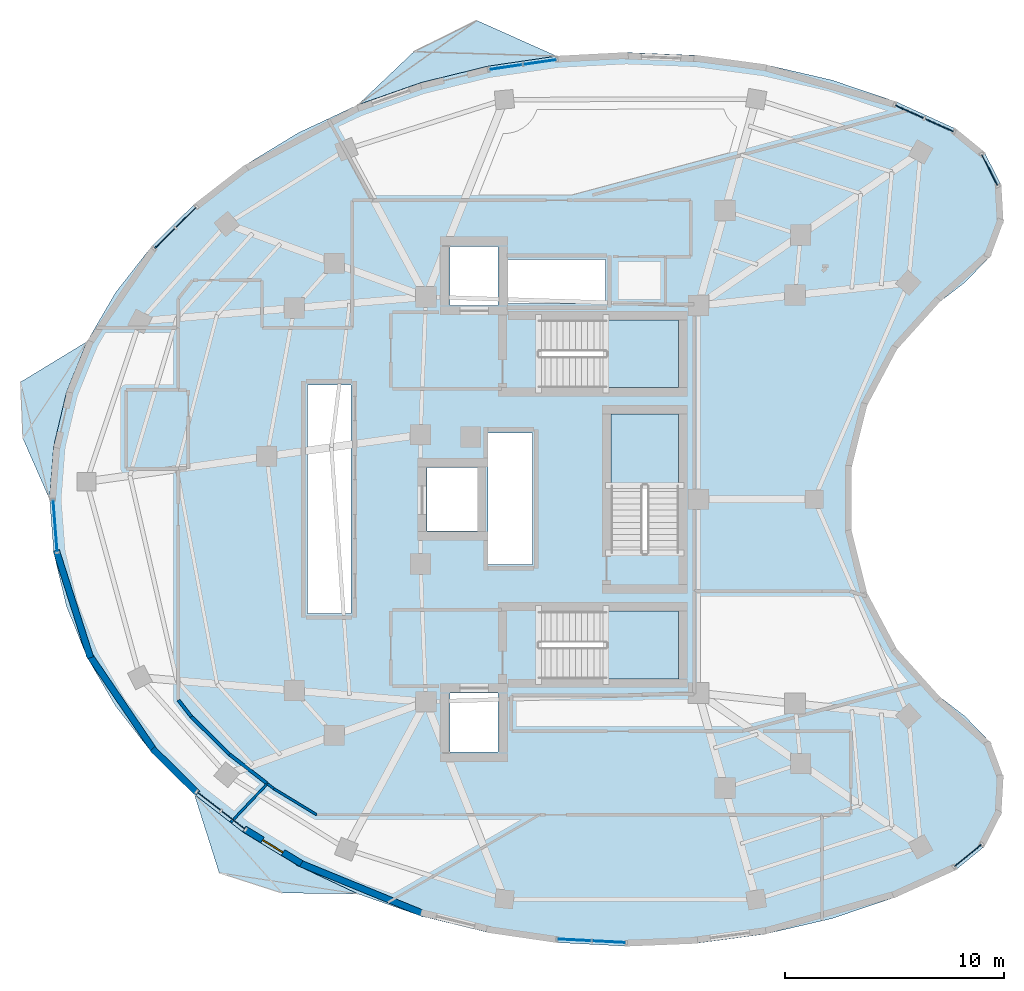
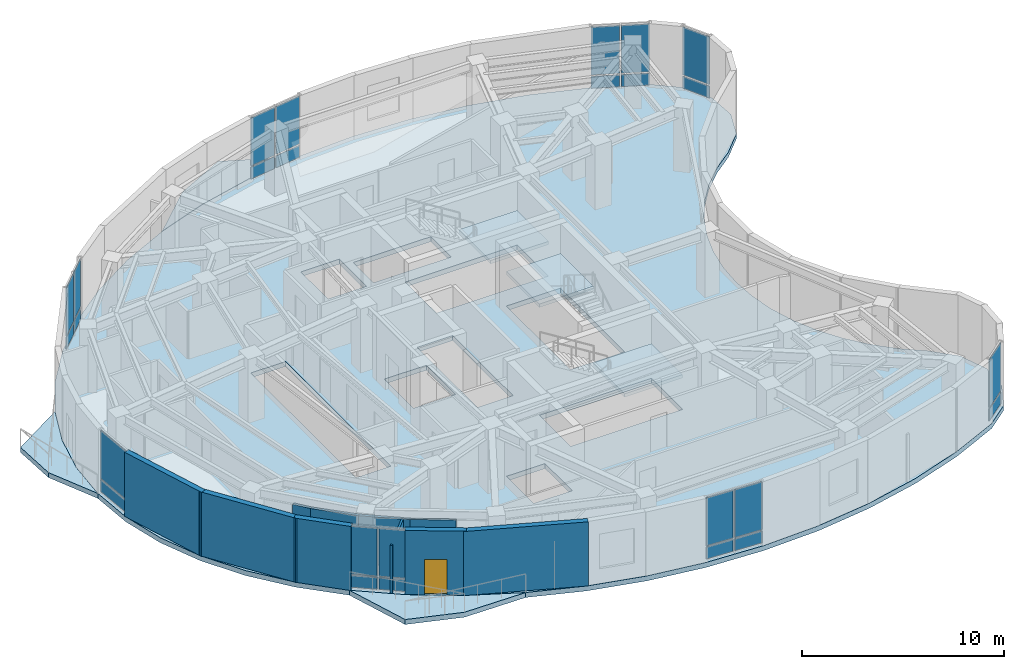
# One storey, part 6 of 13: 26 plates, 11 walls, 7 slabs, 1 door, 1 opening, 11 elements without a shape of their own.
"""IFC4 building model written with IfcOpenShell, lengths in metres."""

from ifc_helpers import new_model, si_unit, direction, frame, frame_2d, origin, origin_2d, place, context, subcontext, project, spatial, polyline, rectangle, outline, extrude, material, layer, layer_set, type_object, element, fill, aggregate, save


model = new_model("IFC4")

# Units and contexts
model_context = context("Model", 3, precision=1e-05, world=origin(), true_north=direction((0.0, 1.0)))
body_context = subcontext(model_context, "Body", "Model", "MODEL_VIEW")
ifc_project = project(units=[si_unit("LENGTHUNIT", "METRE"), si_unit("AREAUNIT", "SQUARE_METRE"), si_unit("VOLUMEUNIT", "CUBIC_METRE"), si_unit("PLANEANGLEUNIT", "RADIAN"), si_unit("MASSUNIT", "GRAM", prefix="KILO")], contexts=[model_context])

# Site, building, storey
site_placement = place(None, origin())
site = spatial("IfcSite", under=ifc_project, at=site_placement, CompositionType="ELEMENT")
building_placement = place(site_placement, origin())
building = spatial("IfcBuilding", under=site, at=building_placement, Name="Korentha Bioscience Tower", CompositionType="ELEMENT")
storey_placement = place(building_placement, frame((0.0, 0.0, 273.0)))
storey = spatial("IfcBuildingStorey", under=building, at=storey_placement, Name="L63", CompositionType="ELEMENT", Elevation=273.0)

# Curtain wall, plates
ifc_material_1 = material(Name="Thermally Broken Aluminium Frame", Category="aluminium")
ifc_layer_1 = layer(ifc_material_1, 0.219970703125, Name="Thermally Broken Aluminium Frame")
ifc_layer_set_1 = layer_set([ifc_layer_1], Name="Thermally Broken Aluminium Frame (CW-T1)")
curtain_wall_type = type_object("IfcCurtainWallType", Name="Standard Bioscience Lab Unitised Curtain Wall CW-T1", PredefinedType="USERDEFINED", material=ifc_layer_set_1)
curtain_wall_1_placement = place(storey_placement, origin())
curtain_wall_1 = element("IfcCurtainWall", 1, at=curtain_wall_1_placement, inside=storey, type_object=curtain_wall_type, Name="L63 Curtain Wall 01", ObjectType="UNITISED", PredefinedType="USERDEFINED")
ifc_material_2 = material(Name="Triple-Glazed Low-E Insulated Glass", Category="glass")
ifc_layer_2 = layer(ifc_material_2, 0.0439453125, Name="Triple-Glazed Low-E Insulated Glass")
ifc_layer_set_2 = layer_set([ifc_layer_2], Name="Triple-Glazed Low-E Insulated Glass (GL-44)")
plate_type = type_object("IfcPlateType", Name="Glazed Panel 44mm", PredefinedType="CURTAIN_PANEL", material=ifc_layer_set_2)
plate_1_placement = place(storey_placement, frame((48.554931640625, 44.091064453125, 0.08984375), z_axis=(0.0, 0.0, 1.0), x_axis=(-0.910604060449, 0.413279862918, 0.0)))
plate_1 = element("IfcPlate", 2, at=plate_1_placement, type_object=plate_type, Name="CW-L63-01 Bay 1 Glazed Panel 1", PredefinedType="CURTAIN_PANEL", context=body_context, shape_type="SweptSolid", body=[
    extrude(rectangle(XDim=1.41357421875, YDim=0.0439453125, at=origin_2d()), origin(), (0.0, 0.0, 1.0), 0.715087890625),
])
plate_2_placement = place(storey_placement, frame((48.554931640625, 44.091064453125, 0.89501953125), z_axis=(0.0, 0.0, 1.0), x_axis=(-0.910604060449, 0.413279862918, 0.0)))
plate_2 = element("IfcPlate", 3, at=plate_2_placement, type_object=plate_type, Name="CW-L63-01 Bay 1 Glazed Panel 2", PredefinedType="CURTAIN_PANEL", context=body_context, shape_type="SweptSolid", body=[
    extrude(rectangle(XDim=1.41357421875, YDim=0.0439453125, at=origin_2d()), origin(), (0.0, 0.0, 1.0), 2.89501953125),
])
plate_3_placement = place(storey_placement, frame((47.185791015625, 44.71240234375, 0.08984375), z_axis=(0.0, 0.0, 1.0), x_axis=(-0.910604060449, 0.413279862918, 0.0)))
plate_3 = element("IfcPlate", 4, at=plate_3_placement, type_object=plate_type, Name="CW-L63-01 Bay 2 Glazed Panel 1", PredefinedType="CURTAIN_PANEL", context=body_context, shape_type="SweptSolid", body=[
    extrude(rectangle(XDim=1.41357421875, YDim=0.0439453125, at=origin_2d()), origin(), (0.0, 0.0, 1.0), 0.715087890625),
])
plate_4_placement = place(storey_placement, frame((47.185791015625, 44.71240234375, 0.89501953125), z_axis=(0.0, 0.0, 1.0), x_axis=(-0.910604060449, 0.413279862918, 0.0)))
plate_4 = element("IfcPlate", 5, at=plate_4_placement, type_object=plate_type, Name="CW-L63-01 Bay 2 Glazed Panel 2", PredefinedType="CURTAIN_PANEL", context=body_context, shape_type="SweptSolid", body=[
    extrude(rectangle(XDim=1.41357421875, YDim=0.0439453125, at=origin_2d()), origin(), (0.0, 0.0, 1.0), 2.89501953125),
])
aggregate(curtain_wall_1, [plate_1, plate_2, plate_3, plate_4])

curtain_wall_2_placement = place(storey_placement, origin())
curtain_wall_2 = element("IfcCurtainWall", 6, at=curtain_wall_2_placement, inside=storey, type_object=curtain_wall_type, Name="L63 Curtain Wall 07", ObjectType="UNITISED", PredefinedType="USERDEFINED")
plate_5_placement = place(storey_placement, frame((30.309814453125, 46.9736328125, 0.08984375), z_axis=(0.0, 0.0, 1.0), x_axis=(-0.989459665324, -0.144808738328, 0.0)))
plate_5 = element("IfcPlate", 7, at=plate_5_placement, type_object=plate_type, Name="CW-L63-07 Bay 1 Glazed Panel 1", PredefinedType="CURTAIN_PANEL", context=body_context, shape_type="SweptSolid", body=[
    extrude(rectangle(XDim=1.489013671875, YDim=0.0439453125, at=origin_2d()), origin(), (0.0, 0.0, 1.0), 0.715087890625),
])
plate_6_placement = place(storey_placement, frame((30.309814453125, 46.9736328125, 0.89501953125), z_axis=(0.0, 0.0, 1.0), x_axis=(-0.989459665324, -0.144808738328, 0.0)))
plate_6 = element("IfcPlate", 8, at=plate_6_placement, type_object=plate_type, Name="CW-L63-07 Bay 1 Glazed Panel 2", PredefinedType="CURTAIN_PANEL", context=body_context, shape_type="SweptSolid", body=[
    extrude(rectangle(XDim=1.489013671875, YDim=0.0439453125, at=origin_2d()), origin(), (0.0, 0.0, 1.0), 2.89501953125),
])
plate_7_placement = place(storey_placement, frame((28.74755859375, 46.7451171875, 0.08984375), z_axis=(0.0, 0.0, 1.0), x_axis=(-0.989459665324, -0.144808738328, 0.0)))
plate_7 = element("IfcPlate", 9, at=plate_7_placement, type_object=plate_type, Name="CW-L63-07 Bay 2 Glazed Panel 1", PredefinedType="CURTAIN_PANEL", context=body_context, shape_type="SweptSolid", body=[
    extrude(rectangle(XDim=1.489013671875, YDim=0.0439453125, at=origin_2d()), origin(), (0.0, 0.0, 1.0), 0.715087890625),
])
plate_8_placement = place(storey_placement, frame((28.74755859375, 46.7451171875, 0.89501953125), z_axis=(0.0, 0.0, 1.0), x_axis=(-0.989459665324, -0.144808738328, 0.0)))
plate_8 = element("IfcPlate", 10, at=plate_8_placement, type_object=plate_type, Name="CW-L63-07 Bay 2 Glazed Panel 2", PredefinedType="CURTAIN_PANEL", context=body_context, shape_type="SweptSolid", body=[
    extrude(rectangle(XDim=1.489013671875, YDim=0.0439453125, at=origin_2d()), origin(), (0.0, 0.0, 1.0), 2.89501953125),
])
aggregate(curtain_wall_2, [plate_5, plate_6, plate_7, plate_8])

curtain_wall_3_placement = place(storey_placement, origin())
curtain_wall_3 = element("IfcCurtainWall", 11, at=curtain_wall_3_placement, inside=storey, type_object=curtain_wall_type, Name="L63 Curtain Wall 13", ObjectType="UNITISED", PredefinedType="USERDEFINED")
plate_9_placement = place(storey_placement, frame((14.144775390625, 39.8828125, 0.08984375), z_axis=(0.0, 0.0, 1.0), x_axis=(-0.711397700041, -0.702789664392, 0.0)))
plate_9 = element("IfcPlate", 12, at=plate_9_placement, type_object=plate_type, Name="CW-L63-13 Bay 1 Glazed Panel 1", PredefinedType="CURTAIN_PANEL", context=body_context, shape_type="SweptSolid", body=[
    extrude(rectangle(XDim=1.2822265625, YDim=0.0439453125, at=origin_2d()), origin(), (0.0, 0.0, 1.0), 0.715087890625),
])
plate_10_placement = place(storey_placement, frame((14.144775390625, 39.8828125, 0.89501953125), z_axis=(0.0, 0.0, 1.0), x_axis=(-0.711397700041, -0.702789664392, 0.0)))
plate_10 = element("IfcPlate", 13, at=plate_10_placement, type_object=plate_type, Name="CW-L63-13 Bay 1 Glazed Panel 2", PredefinedType="CURTAIN_PANEL", context=body_context, shape_type="SweptSolid", body=[
    extrude(rectangle(XDim=1.2822265625, YDim=0.0439453125, at=origin_2d()), origin(), (0.0, 0.0, 1.0), 2.89501953125),
])
plate_11_placement = place(storey_placement, frame((13.16845703125, 38.918212890625, 0.08984375), z_axis=(0.0, 0.0, 1.0), x_axis=(-0.711397700041, -0.702789664392, 0.0)))
plate_11 = element("IfcPlate", 14, at=plate_11_placement, type_object=plate_type, Name="CW-L63-13 Bay 2 Glazed Panel 1", PredefinedType="CURTAIN_PANEL", context=body_context, shape_type="SweptSolid", body=[
    extrude(rectangle(XDim=1.2822265625, YDim=0.0439453125, at=origin_2d()), origin(), (0.0, 0.0, 1.0), 0.715087890625),
])
plate_12_placement = place(storey_placement, frame((13.16845703125, 38.918212890625, 0.89501953125), z_axis=(0.0, 0.0, 1.0), x_axis=(-0.711397700041, -0.702789664392, 0.0)))
plate_12 = element("IfcPlate", 15, at=plate_12_placement, type_object=plate_type, Name="CW-L63-13 Bay 2 Glazed Panel 2", PredefinedType="CURTAIN_PANEL", context=body_context, shape_type="SweptSolid", body=[
    extrude(rectangle(XDim=1.2822265625, YDim=0.0439453125, at=origin_2d()), origin(), (0.0, 0.0, 1.0), 2.89501953125),
])
aggregate(curtain_wall_3, [plate_9, plate_10, plate_11, plate_12])

curtain_wall_4_placement = place(storey_placement, origin())
curtain_wall_4 = element("IfcCurtainWall", 16, at=curtain_wall_4_placement, inside=storey, type_object=curtain_wall_type, Name="L63 Curtain Wall 19", ObjectType="UNITISED", PredefinedType="USERDEFINED")
plate_13_placement = place(storey_placement, frame((8.164306640625, 25.7880859375, 0.08984375), z_axis=(0.0, 0.0, 1.0), x_axis=(0.078035250492, -0.996950600421, 0.0)))
plate_13 = element("IfcPlate", 17, at=plate_13_placement, type_object=plate_type, Name="CW-L63-19 Bay 1 Glazed Panel 1", PredefinedType="CURTAIN_PANEL", context=body_context, shape_type="SweptSolid", body=[
    extrude(rectangle(XDim=2.35595703125, YDim=0.0439453125, at=origin_2d()), origin(), (0.0, 0.0, 1.0), 0.715087890625),
])
plate_14_placement = place(storey_placement, frame((8.164306640625, 25.7880859375, 0.89501953125), z_axis=(0.0, 0.0, 1.0), x_axis=(0.078035250492, -0.996950600421, 0.0)))
plate_14 = element("IfcPlate", 18, at=plate_14_placement, type_object=plate_type, Name="CW-L63-19 Bay 1 Glazed Panel 2", PredefinedType="CURTAIN_PANEL", context=body_context, shape_type="SweptSolid", body=[
    extrude(rectangle(XDim=2.35595703125, YDim=0.0439453125, at=origin_2d()), origin(), (0.0, 0.0, 1.0), 2.89501953125),
])
aggregate(curtain_wall_4, [plate_13, plate_14])

curtain_wall_5_placement = place(storey_placement, origin())
curtain_wall_5 = element("IfcCurtainWall", 19, at=curtain_wall_5_placement, inside=storey, type_object=curtain_wall_type, Name="L63 Curtain Wall 25", ObjectType="UNITISED", PredefinedType="USERDEFINED")
plate_15_placement = place(storey_placement, frame((15.185791015625, 13.20751953125, 0.08984375), z_axis=(0.0, 0.0, 1.0), x_axis=(0.790487520139, -0.612478146961, 0.0)))
plate_15 = element("IfcPlate", 20, at=plate_15_placement, type_object=plate_type, Name="CW-L63-25 Bay 1 Glazed Panel 1", PredefinedType="CURTAIN_PANEL", context=body_context, shape_type="SweptSolid", body=[
    extrude(rectangle(XDim=1.326416015625, YDim=0.0439453125, at=origin_2d()), origin(), (0.0, 0.0, 1.0), 0.715087890625),
])
plate_16_placement = place(storey_placement, frame((15.185791015625, 13.20751953125, 0.89501953125), z_axis=(0.0, 0.0, 1.0), x_axis=(0.790487520139, -0.612478146961, 0.0)))
plate_16 = element("IfcPlate", 21, at=plate_16_placement, type_object=plate_type, Name="CW-L63-25 Bay 1 Glazed Panel 2", PredefinedType="CURTAIN_PANEL", context=body_context, shape_type="SweptSolid", body=[
    extrude(rectangle(XDim=1.326416015625, YDim=0.0439453125, at=origin_2d()), origin(), (0.0, 0.0, 1.0), 2.89501953125),
])
plate_17_placement = place(storey_placement, frame((16.305419921875, 12.33984375, 0.08984375), z_axis=(0.0, 0.0, 1.0), x_axis=(0.790487520139, -0.612478146961, 0.0)))
plate_17 = element("IfcPlate", 22, at=plate_17_placement, type_object=plate_type, Name="CW-L63-25 Bay 2 Glazed Panel 1", PredefinedType="CURTAIN_PANEL", context=body_context, shape_type="SweptSolid", body=[
    extrude(rectangle(XDim=1.326416015625, YDim=0.0439453125, at=origin_2d()), origin(), (0.0, 0.0, 1.0), 0.715087890625),
])
plate_18_placement = place(storey_placement, frame((16.305419921875, 12.33984375, 0.89501953125), z_axis=(0.0, 0.0, 1.0), x_axis=(0.790487520139, -0.612478146961, 0.0)))
plate_18 = element("IfcPlate", 23, at=plate_18_placement, type_object=plate_type, Name="CW-L63-25 Bay 2 Glazed Panel 2", PredefinedType="CURTAIN_PANEL", context=body_context, shape_type="SweptSolid", body=[
    extrude(rectangle(XDim=1.326416015625, YDim=0.0439453125, at=origin_2d()), origin(), (0.0, 0.0, 1.0), 2.89501953125),
])
aggregate(curtain_wall_5, [plate_15, plate_16, plate_17, plate_18])

curtain_wall_6_placement = place(storey_placement, origin())
curtain_wall_6 = element("IfcCurtainWall", 24, at=curtain_wall_6_placement, inside=storey, type_object=curtain_wall_type, Name="L63 Curtain Wall 31", ObjectType="UNITISED", PredefinedType="USERDEFINED")
plate_19_placement = place(storey_placement, frame((31.87939453125, 6.87109375, 0.08984375), z_axis=(0.0, 0.0, 1.0), x_axis=(0.998636113937, -0.052210266622, 0.0)))
plate_19 = element("IfcPlate", 25, at=plate_19_placement, type_object=plate_type, Name="CW-L63-31 Bay 1 Glazed Panel 1", PredefinedType="CURTAIN_PANEL", context=body_context, shape_type="SweptSolid", body=[
    extrude(rectangle(XDim=1.498779296875, YDim=0.0439453125, at=origin_2d()), origin(), (0.0, 0.0, 1.0), 0.715087890625),
])
plate_20_placement = place(storey_placement, frame((31.87939453125, 6.87109375, 0.89501953125), z_axis=(0.0, 0.0, 1.0), x_axis=(0.998636113937, -0.052210266622, 0.0)))
plate_20 = element("IfcPlate", 26, at=plate_20_placement, type_object=plate_type, Name="CW-L63-31 Bay 1 Glazed Panel 2", PredefinedType="CURTAIN_PANEL", context=body_context, shape_type="SweptSolid", body=[
    extrude(rectangle(XDim=1.498779296875, YDim=0.0439453125, at=origin_2d()), origin(), (0.0, 0.0, 1.0), 2.89501953125),
])
plate_21_placement = place(storey_placement, frame((33.466064453125, 6.7880859375, 0.08984375), z_axis=(0.0, 0.0, 1.0), x_axis=(0.998636113937, -0.052210266622, 0.0)))
plate_21 = element("IfcPlate", 27, at=plate_21_placement, type_object=plate_type, Name="CW-L63-31 Bay 2 Glazed Panel 1", PredefinedType="CURTAIN_PANEL", context=body_context, shape_type="SweptSolid", body=[
    extrude(rectangle(XDim=1.498779296875, YDim=0.0439453125, at=origin_2d()), origin(), (0.0, 0.0, 1.0), 0.715087890625),
])
plate_22_placement = place(storey_placement, frame((33.466064453125, 6.7880859375, 0.89501953125), z_axis=(0.0, 0.0, 1.0), x_axis=(0.998636113937, -0.052210266622, 0.0)))
plate_22 = element("IfcPlate", 28, at=plate_22_placement, type_object=plate_type, Name="CW-L63-31 Bay 2 Glazed Panel 2", PredefinedType="CURTAIN_PANEL", context=body_context, shape_type="SweptSolid", body=[
    extrude(rectangle(XDim=1.498779296875, YDim=0.0439453125, at=origin_2d()), origin(), (0.0, 0.0, 1.0), 2.89501953125),
])
aggregate(curtain_wall_6, [plate_19, plate_20, plate_21, plate_22])

curtain_wall_7_placement = place(storey_placement, origin())
curtain_wall_7 = element("IfcCurtainWall", 29, at=curtain_wall_7_placement, inside=storey, type_object=curtain_wall_type, Name="L63 Curtain Wall 37", ObjectType="UNITISED", PredefinedType="USERDEFINED")
plate_23_placement = place(storey_placement, frame((49.85986328125, 10.732177734375, 0.08984375), z_axis=(0.0, 0.0, 1.0), x_axis=(0.774235415138, 0.632897718393, 0.0)))
plate_23 = element("IfcPlate", 30, at=plate_23_placement, type_object=plate_type, Name="CW-L63-37 Bay 1 Glazed Panel 1", PredefinedType="CURTAIN_PANEL", context=body_context, shape_type="SweptSolid", body=[
    extrude(rectangle(XDim=1.581787109375, YDim=0.0439453125, at=origin_2d()), origin(), (0.0, 0.0, 1.0), 0.715087890625),
])
plate_24_placement = place(storey_placement, frame((49.85986328125, 10.732177734375, 0.89501953125), z_axis=(0.0, 0.0, 1.0), x_axis=(0.774235415138, 0.632897718393, 0.0)))
plate_24 = element("IfcPlate", 31, at=plate_24_placement, type_object=plate_type, Name="CW-L63-37 Bay 1 Glazed Panel 2", PredefinedType="CURTAIN_PANEL", context=body_context, shape_type="SweptSolid", body=[
    extrude(rectangle(XDim=1.581787109375, YDim=0.0439453125, at=origin_2d()), origin(), (0.0, 0.0, 1.0), 2.89501953125),
])
aggregate(curtain_wall_7, [plate_23, plate_24])

curtain_wall_8_placement = place(storey_placement, origin())
curtain_wall_8 = element("IfcCurtainWall", 32, at=curtain_wall_8_placement, inside=storey, type_object=curtain_wall_type, Name="L63 Curtain Wall 61", ObjectType="UNITISED", PredefinedType="USERDEFINED")
plate_25_placement = place(storey_placement, frame((50.8515625, 42.037841796875, 0.08984375), z_axis=(0.0, 0.0, 1.0), x_axis=(-0.454238686477, 0.890880023184, 0.0)))
plate_25 = element("IfcPlate", 33, at=plate_25_placement, type_object=plate_type, Name="CW-L63-61 Bay 1 Glazed Panel 1", PredefinedType="CURTAIN_PANEL", context=body_context, shape_type="SweptSolid", body=[
    extrude(rectangle(XDim=1.58154296875, YDim=0.0439453125, at=origin_2d()), origin(), (0.0, 0.0, 1.0), 0.715087890625),
])
plate_26_placement = place(storey_placement, frame((50.8515625, 42.037841796875, 0.89501953125), z_axis=(0.0, 0.0, 1.0), x_axis=(-0.454238686477, 0.890880023184, 0.0)))
plate_26 = element("IfcPlate", 34, at=plate_26_placement, type_object=plate_type, Name="CW-L63-61 Bay 1 Glazed Panel 2", PredefinedType="CURTAIN_PANEL", context=body_context, shape_type="SweptSolid", body=[
    extrude(rectangle(XDim=1.58154296875, YDim=0.0439453125, at=origin_2d()), origin(), (0.0, 0.0, 1.0), 2.89501953125),
])
aggregate(curtain_wall_8, [plate_25, plate_26])

# Slab
ifc_material_3 = material(Name="Concrete C50", Category="concrete")
ifc_layer_3 = layer(ifc_material_3, 0.300048828125, Name="Concrete C50")
ifc_layer_set_3 = layer_set([ifc_layer_3], Name="Concrete C50 (SL-L300)")
slab_type_1 = type_object("IfcSlabType", Name="Laboratory Vibration-Controlled Slab 300", PredefinedType="FLOOR", material=ifc_layer_set_3)
slab_1_placement = place(storey_placement, frame((0.0, 0.0, -0.300048828125)))
element("IfcSlab", 35, at=slab_1_placement, inside=storey, type_object=slab_type_1, Name="L63 Tower Structural Floor Slab", PredefinedType="FLOOR", context=body_context, shape_type="SweptSolid", body=[
    extrude(outline(polyline([(49.310302734375, 43.924072265625), (46.562744140625, 45.1708984375), (43.640380859375, 46.15576171875), (40.58544921875, 46.86376953125), (37.4423828125, 47.284912109375), (34.256103515625, 47.413330078125), (31.07275390625, 47.2470703125), (27.9384765625, 46.788330078125), (24.898193359375, 46.0439453125), (21.99609375, 45.0244140625), (19.27392578125, 43.744873046875), (16.771240234375, 42.223388671875), (14.52392578125, 40.482177734375), (12.564453125, 38.54638671875), (10.921142578125, 36.443603515625), (9.61767578125, 34.20458984375), (8.673095703125, 31.86181640625), (8.1005859375, 29.448486328125), (7.908935546875, 27.0), (8.1005859375, 24.551513671875), (8.673095703125, 22.13818359375), (9.61767578125, 19.79541015625), (10.921142578125, 17.556396484375), (12.564453125, 15.45361328125), (14.52392578125, 13.517822265625), (16.771240234375, 11.776611328125), (19.27392578125, 10.255126953125), (21.99609375, 8.9755859375), (24.898193359375, 7.9560546875), (27.9384765625, 7.211669921875), (31.07275390625, 6.7529296875), (34.256103515625, 6.586669921875), (37.4423828125, 6.715087890625), (40.58544921875, 7.13623046875), (43.640380859375, 7.84423828125), (46.562744140625, 8.8291015625), (49.310302734375, 10.075927734375), (50.6123046875, 11.140380859375), (51.3759765625, 12.638671875), (51.47265625, 14.3173828125), (50.8857421875, 15.893310546875), (49.714599609375, 17.10009765625), (48.55810546875, 17.98779296875), (47.51806640625, 19.009765625), (46.6103515625, 20.15087890625), (45.8486328125, 21.393798828125), (45.243896484375, 22.720703125), (44.8056640625, 24.111083984375), (44.539794921875, 25.544677734375), (44.450927734375, 27.0), (44.539794921875, 28.455322265625), (44.8056640625, 29.888916015625), (45.243896484375, 31.279296875), (45.8486328125, 32.606201171875), (46.6103515625, 33.84912109375), (47.51806640625, 34.990234375), (48.55810546875, 36.01220703125), (49.714599609375, 36.89990234375), (50.8857421875, 38.106689453125), (51.47265625, 39.6826171875), (51.3759765625, 41.361328125), (50.6123046875, 42.859619140625), (49.310302734375, 43.924072265625)]), holes=[polyline([(30.25, 32.10009765625), (36.64990234375, 32.10009765625), (36.64990234375, 35.199951171875), (30.25, 35.199951171875), (30.25, 32.10009765625)]), polyline([(30.25, 18.800048828125), (36.64990234375, 18.800048828125), (36.64990234375, 21.89990234375), (30.25, 21.89990234375), (30.25, 18.800048828125)]), polyline([(36.64990234375, 24.550048828125), (36.64990234375, 30.89990234375), (33.550048828125, 30.89990234375), (33.550048828125, 24.550048828125), (36.64990234375, 24.550048828125)]), polyline([(19.679931640625, 21.780029296875), (21.669921875, 21.780029296875), (21.669921875, 32.219970703125), (19.679931640625, 32.219970703125), (19.679931640625, 21.780029296875)]), polyline([(27.929931640625, 24.030029296875), (29.969970703125, 24.030029296875), (29.969970703125, 30.02001953125), (27.929931640625, 30.02001953125), (27.929931640625, 24.030029296875)]), polyline([(28.860107421875, 35.93994140625), (33.31005859375, 35.93994140625), (33.31005859375, 37.9599609375), (28.860107421875, 37.9599609375), (28.860107421875, 35.93994140625)]), polyline([(26.199951171875, 15.449951171875), (28.39990234375, 15.449951171875), (28.39990234375, 18.14990234375), (26.199951171875, 18.14990234375), (26.199951171875, 15.449951171875)]), polyline([(26.199951171875, 35.85009765625), (28.39990234375, 35.85009765625), (28.39990234375, 38.550048828125), (26.199951171875, 38.550048828125), (26.199951171875, 35.85009765625)]), polyline([(25.14990234375, 25.550048828125), (27.550048828125, 25.550048828125), (27.550048828125, 28.449951171875), (25.14990234375, 28.449951171875), (25.14990234375, 25.550048828125)])]), origin(), (0.0, 0.0, 1.0), 0.300048828125),
])

# Stair, slab
ifc_material_4 = material(Name="Precast Concrete C50", Category="concrete")
stair_type = type_object("IfcStairType", Name="Core Exit Dog-Leg Stair 1450", PredefinedType="HALF_TURN_STAIR", material=ifc_material_4)
stair_1_placement = place(storey_placement, origin())
stair_1 = element("IfcStair", 36, at=stair_1_placement, inside=storey, type_object=stair_type, Name="L63 Tower North Pressurized Exit Stair ST-1", PredefinedType="HALF_TURN_STAIR")
ifc_layer_4 = layer(ifc_material_3, 0.199951171875, Name="Concrete C50")
ifc_layer_set_4 = layer_set([ifc_layer_4], Name="Concrete C50 (SL-LND)")
slab_type_2 = type_object("IfcSlabType", Name="Landing Slab 200", PredefinedType="LANDING", material=ifc_layer_set_4)
slab_2_placement = place(storey_placement, frame((0.0, 0.0, 1.89990234375)))
slab_2 = element("IfcSlab", 37, at=slab_2_placement, type_object=slab_type_2, Name="ST-1 landing 1", PredefinedType="LANDING", context=body_context, shape_type="SweptSolid", body=[
    extrude(outline(polyline([(33.330078125, 32.10009765625), (36.64990234375, 32.10009765625), (36.64990234375, 35.199951171875), (33.330078125, 35.199951171875), (33.330078125, 32.10009765625)])), origin(), (0.0, 0.0, 1.0), 0.2001953125),
])
aggregate(stair_1, [slab_2])

stair_2_placement = place(storey_placement, origin())
stair_2 = element("IfcStair", 38, at=stair_2_placement, inside=storey, type_object=stair_type, Name="L63 Tower South Pressurized Exit Stair ST-2", PredefinedType="HALF_TURN_STAIR")
slab_3_placement = place(storey_placement, frame((0.0, 0.0, 1.89990234375)))
slab_3 = element("IfcSlab", 39, at=slab_3_placement, type_object=slab_type_2, Name="ST-2 landing 1", PredefinedType="LANDING", context=body_context, shape_type="SweptSolid", body=[
    extrude(outline(polyline([(33.330078125, 18.800048828125), (36.64990234375, 18.800048828125), (36.64990234375, 21.89990234375), (33.330078125, 21.89990234375), (33.330078125, 18.800048828125)])), origin(), (0.0, 0.0, 1.0), 0.2001953125),
])
aggregate(stair_2, [slab_3])

stair_3_placement = place(storey_placement, origin())
stair_3 = element("IfcStair", 40, at=stair_3_placement, inside=storey, type_object=stair_type, Name="L63 Tower Central Pressurized Exit Stair ST-3", PredefinedType="HALF_TURN_STAIR")
slab_4_placement = place(storey_placement, frame((0.0, 0.0, 1.89990234375)))
slab_4 = element("IfcSlab", 41, at=slab_4_placement, type_object=slab_type_2, Name="ST-3 landing 1", PredefinedType="LANDING", context=body_context, shape_type="SweptSolid", body=[
    extrude(outline(polyline([(36.64990234375, 27.6298828125), (36.64990234375, 30.89990234375), (33.550048828125, 30.89990234375), (33.550048828125, 27.6298828125), (36.64990234375, 27.6298828125)])), origin(), (0.0, 0.0, 1.0), 0.2001953125),
])
aggregate(stair_3, [slab_4])

# Slabs
ifc_layer_5 = layer(ifc_material_3, 0.300048828125, Name="Concrete C50")
ifc_layer_set_5 = layer_set([ifc_layer_5], Name="Concrete C50 (BS-240)")
slab_type_3 = type_object("IfcSlabType", Name="Sawtooth Sun-Ledge Balcony Slab 240", PredefinedType="USERDEFINED", material=ifc_layer_set_5)
slab_5_placement = place(storey_placement, frame((0.0, 0.0, -0.300048828125)))
element("IfcSlab", 42, at=slab_5_placement, inside=storey, type_object=slab_type_3, Name="L63 Sun-Ledge Balcony 01", ObjectType="BALCONY", PredefinedType="USERDEFINED", context=body_context, shape_type="SweptSolid", body=[
    extrude(outline(polyline([(21.99609375, 45.0244140625), (24.898193359375, 46.0439453125), (27.9384765625, 46.788330078125), (31.07275390625, 47.2470703125), (27.427001953125, 48.876708984375), (24.55322265625, 47.452392578125), (21.99609375, 45.0244140625)])), origin(), (0.0, 0.0, 1.0), 0.300048828125),
])
slab_6_placement = place(storey_placement, frame((0.0, 0.0, -0.300048828125)))
element("IfcSlab", 43, at=slab_6_placement, inside=storey, type_object=slab_type_3, Name="L63 Sun-Ledge Balcony 02", ObjectType="BALCONY", PredefinedType="USERDEFINED", context=body_context, shape_type="SweptSolid", body=[
    extrude(outline(polyline([(7.908935546875, 27.0), (8.1005859375, 29.448486328125), (8.673095703125, 31.86181640625), (9.61767578125, 34.20458984375), (6.5810546875, 32.35791015625), (6.689697265625, 29.783203125), (7.908935546875, 27.0)])), origin(), (0.0, 0.0, 1.0), 0.300048828125),
])
slab_7_placement = place(storey_placement, frame((0.0, 0.0, -0.300048828125)))
element("IfcSlab", 44, at=slab_7_placement, inside=storey, type_object=slab_type_3, Name="L63 Sun-Ledge Balcony 03", ObjectType="BALCONY", PredefinedType="USERDEFINED", context=body_context, shape_type="SweptSolid", body=[
    extrude(outline(polyline([(21.99609375, 8.9755859375), (19.27392578125, 10.255126953125), (16.771240234375, 11.776611328125), (14.52392578125, 13.517822265625), (15.654296875, 9.939453125), (18.520751953125, 9.01611328125), (21.99609375, 8.9755859375)])), origin(), (0.0, 0.0, 1.0), 0.300048828125),
])

# Walls
ifc_material_5 = material(Name="Double-Stud Acoustic Gypsum", Category="gypsum")
ifc_layer_6 = layer(ifc_material_5, 0.14990234375, Name="Double-Stud Acoustic Gypsum")
ifc_layer_set_6 = layer_set([ifc_layer_6], Name="Double-Stud Acoustic Gypsum (IW-L150)")
wall_type_1 = type_object("IfcWallType", Name="Acoustic Laboratory Partition Wall 150", PredefinedType="PARTITIONING", material=ifc_layer_set_6)
wall_1_placement = place(storey_placement, frame((13.7919921875, 17.8291015625, 0.0), z_axis=(0.0, 0.0, 1.0), x_axis=(0.615841557122, -0.787870025145, 0.0)))
element("IfcWall", 45, at=wall_1_placement, inside=storey, type_object=wall_type_1, Name="L63 Interior Partition 045", PredefinedType="PARTITIONING", context=body_context, shape_type="SweptSolid", body=[
    extrude(rectangle(XDim=0.95947265625, YDim=0.14990234375, at=frame_2d((0.479736328125, 0.0))), origin(), (0.0, 0.0, 1.0), 2.889892578125),
])
wall_2_placement = place(storey_placement, frame((14.383544921875, 17.072509765625, 0.0), z_axis=(0.0, 0.0, 1.0), x_axis=(0.711327015195, -0.702861207817, 0.0)))
element("IfcWall", 46, at=wall_2_placement, inside=storey, type_object=wall_type_1, Name="L63 Interior Partition 046", PredefinedType="PARTITIONING", context=body_context, shape_type="SweptSolid", body=[
    extrude(rectangle(XDim=2.451171875, YDim=0.14990234375, at=frame_2d((1.2255859375, 0.0))), origin(), (0.0, 0.0, 1.0), 2.889892578125),
])
wall_3_placement = place(storey_placement, frame((16.128173828125, 15.348876953125, 0.0), z_axis=(0.0, 0.0, 1.0), x_axis=(0.790443547822, -0.612534895093, 0.0)))
element("IfcWall", 47, at=wall_3_placement, inside=storey, type_object=wall_type_1, Name="L63 Interior Partition 047", PredefinedType="PARTITIONING", context=body_context, shape_type="SweptSolid", body=[
    extrude(rectangle(XDim=2.177734375, YDim=0.14990234375, at=frame_2d((1.0888671875, 0.0))), origin(), (0.0, 0.0, 1.0), 2.889892578125),
])
ifc_material_6 = material(Name="Fire-Rated Framed Glass", Category="glass")
ifc_layer_7 = layer(ifc_material_6, 0.110107421875, Name="Fire-Rated Framed Glass")
ifc_layer_set_7 = layer_set([ifc_layer_7], Name="Fire-Rated Framed Glass (IW-G110)")
wall_type_2 = type_object("IfcWallType", Name="Demountable Glazed Office Partition 110", PredefinedType="MOVABLE", material=ifc_layer_set_7)
wall_4_placement = place(storey_placement, frame((17.857666015625, 14.0087890625, 0.0), z_axis=(0.0, 0.0, 1.0), x_axis=(0.790486870827, -0.612478984986, 0.0)))
element("IfcWall", 48, at=wall_4_placement, inside=storey, type_object=wall_type_2, Name="L63 Interior Partition 018", PredefinedType="MOVABLE", context=body_context, shape_type="SweptSolid", body=[
    extrude(rectangle(XDim=0.370361328125, YDim=0.110107421875, at=frame_2d((0.18505859375, 0.0))), origin(), (0.0, 0.0, 1.0), 2.889892578125),
])
wall_5_placement = place(storey_placement, frame((18.1513671875, 13.781494140625, 0.0), z_axis=(0.0, 0.0, 1.0), x_axis=(0.854507101003, -0.519439711935, 0.0)))
element("IfcWall", 49, at=wall_5_placement, inside=storey, type_object=wall_type_2, Name="L63 Interior Partition 019", PredefinedType="MOVABLE", context=body_context, shape_type="SweptSolid", body=[
    extrude(rectangle(XDim=2.290771484375, YDim=0.110107421875, at=frame_2d((1.1455078125, 0.0))), origin(), (0.0, 0.0, 1.0), 2.889892578125),
])
wall_6_placement = place(storey_placement, frame((16.193115234375, 12.25146484375, 0.0), z_axis=(0.0, 0.0, 1.0), x_axis=(0.687683096997, 0.726010990347, 0.0)))
element("IfcWall", 50, at=wall_6_placement, inside=storey, type_object=wall_type_2, Name="L63 Interior Partition 021", PredefinedType="MOVABLE", context=body_context, shape_type="SweptSolid", body=[
    extrude(rectangle(XDim=2.42041015625, YDim=0.110107421875, at=frame_2d((1.210205078125, 0.0))), origin(), (0.0, 0.0, 1.0), 2.889892578125),
])

# Wall, opening, door
ifc_material_7 = material(Name="Honed Limestone Precast Concrete C40", Category="masonry")
ifc_layer_8 = layer(ifc_material_7, 0.300048828125, Name="Honed Limestone Precast Concrete C40")
ifc_layer_set_8 = layer_set([ifc_layer_8], Name="Honed Limestone Precast Concrete C40 (EW-ST300)")
wall_type_3 = type_object("IfcWallType", Name="Honed Limestone Cavity Spandrel Wall 300", PredefinedType="STANDARD", material=ifc_layer_set_8)
wall_7_placement = place(storey_placement, frame((16.802978515625, 11.944580078125, 0.0), z_axis=(0.0, 0.0, 1.0), x_axis=(0.854482916714, -0.519479494344, 0.0)))
wall_7 = element("IfcWall", 51, at=wall_7_placement, inside=storey, type_object=wall_type_3, Name="L63 Balcony Threshold Wall 03", PredefinedType="STANDARD", context=body_context, shape_type="SweptSolid", body=[
    extrude(rectangle(XDim=3.049072265625, YDim=0.300048828125, at=frame_2d((1.5244140625, 0.0))), origin(), (0.0, 0.0, 1.0), 3.8798828125),
])
opening_placement = place(wall_7_placement, frame((0.974609375, 0.0, 0.0)))
opening = element("IfcOpeningElement", 52, at=opening_placement, cuts=wall_7, Name="Opening BD-11L", PredefinedType="OPENING", context=body_context, shape_type="SweptSolid", body=[
    extrude(rectangle(XDim=1.10009765625, YDim=2.14990234375, at=frame_2d((0.550048828125, 1.074951171875))), frame((0.0, 0.1650390625, 0.0), z_axis=(0.0, -1.0, 0.0), x_axis=(1.0, 0.0, 0.0)), (0.0, 0.0, 1.0), 0.329833984375),
])
ifc_material_8 = material(Name="Thermally Broken Glazed Aluminium", Category="aluminium")
door_type = type_object("IfcDoorType", Name="Balcony Terrace Glazed Door 1100x2150 Left", OperationType="SINGLE_SWING_LEFT", PredefinedType="DOOR", material=ifc_material_8)
door_placement = place(opening_placement, origin())
door = element("IfcDoor", 53, at=door_placement, inside=storey, type_object=door_type, Name="L63 Balcony Access Door 03", OperationType="SINGLE_SWING_LEFT", OverallHeight=2.14990234375, OverallWidth=1.10009765625, PredefinedType="DOOR", context=body_context, shape_type="SweptSolid", body=[
    extrude(rectangle(XDim=1.10009765625, YDim=2.14990234375, at=frame_2d((0.550048828125, 1.074951171875))), frame((0.0, 0.02490234375, 0.0), z_axis=(0.0, -1.0, 0.0), x_axis=(1.0, 0.0, 0.0)), (0.0, 0.0, 1.0), 0.050048828125),
])
fill(opening, door)

# Walls
wall_8_placement = place(storey_placement, frame((8.209716796875, 24.67041015625, 0.0), z_axis=(0.0, 0.0, 1.0), x_axis=(0.303876387353, -0.952711467974, 0.0)))
element("IfcWall", 54, at=wall_8_placement, inside=storey, type_object=wall_type_3, Name="L63 Limestone Perimeter Closure Wall 20", PredefinedType="STANDARD", context=body_context, shape_type="SweptSolid", body=[
    extrude(rectangle(XDim=5.15234375, YDim=0.300048828125, at=frame_2d((2.576171875, 0.0))), origin(), (0.0, 0.0, 1.0), 3.8798828125),
])
wall_9_placement = place(storey_placement, frame((9.688720703125, 19.940185546875, 0.0), z_axis=(0.0, 0.0, 1.0), x_axis=(0.561547791281, -0.827444305139, 0.0)))
element("IfcWall", 55, at=wall_9_placement, inside=storey, type_object=wall_type_3, Name="L63 Limestone Perimeter Closure Wall 22", PredefinedType="STANDARD", context=body_context, shape_type="SweptSolid", body=[
    extrude(rectangle(XDim=5.4072265625, YDim=0.300048828125, at=frame_2d((2.70361328125, 0.0))), origin(), (0.0, 0.0, 1.0), 3.8798828125),
])
wall_10_placement = place(storey_placement, frame((12.60595703125, 15.609619140625, 0.0), z_axis=(0.0, 0.0, 1.0), x_axis=(0.711366092533, -0.702821657602, 0.0)))
element("IfcWall", 56, at=wall_10_placement, inside=storey, type_object=wall_type_3, Name="L63 Limestone Perimeter Closure Wall 24", PredefinedType="STANDARD", context=body_context, shape_type="SweptSolid", body=[
    extrude(rectangle(XDim=2.91455078125, YDim=0.300048828125, at=frame_2d((1.457275390625, 0.0))), origin(), (0.0, 0.0, 1.0), 3.8798828125),
])
wall_11_placement = place(storey_placement, frame((19.2529296875, 10.4150390625, 0.0), z_axis=(0.0, 0.0, 1.0), x_axis=(0.925644837168, -0.378393492841, 0.0)))
element("IfcWall", 57, at=wall_11_placement, inside=storey, type_object=wall_type_3, Name="L63 Limestone Perimeter Closure Wall 27", PredefinedType="STANDARD", context=body_context, shape_type="SweptSolid", body=[
    extrude(rectangle(XDim=6.23583984375, YDim=0.300048828125, at=frame_2d((3.117919921875, 0.0))), origin(), (0.0, 0.0, 1.0), 3.8798828125),
])

save(model, "model.ifc")
